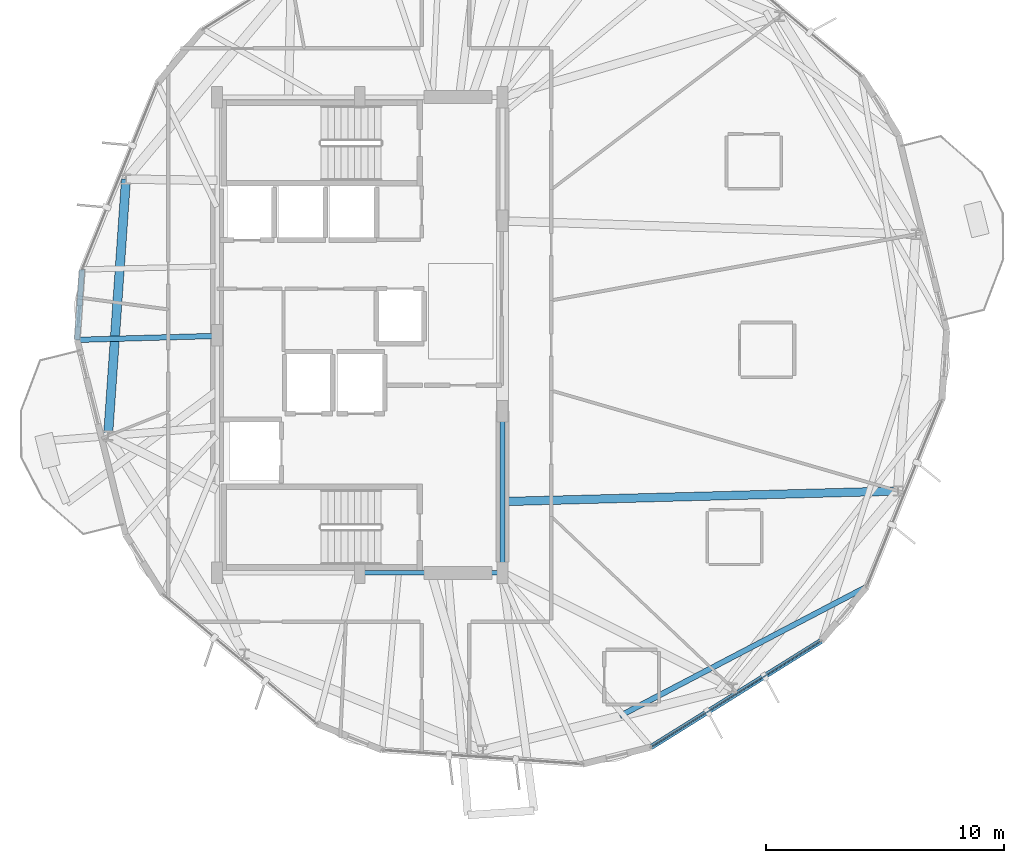
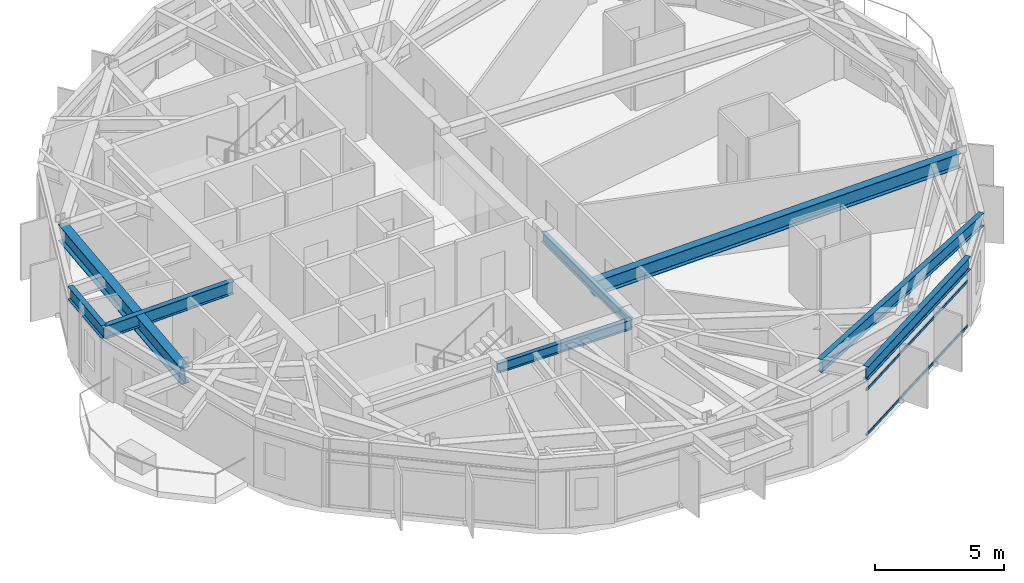
# One storey, part 6 of 22: 8 beams, 3 members, 1 element without a shape of its own.
"""IFC4 building model written with IfcOpenShell, lengths in metres."""

import ifcopenshell
import ifcopenshell.guid

model = None  # the IFC model being written
_history = None  # IfcOwnerHistory: only IFC2X3 demands one
_inside = {}  # id of a spatial element -> (the spatial element, [elements in it])
_under = {}  # id of a project, library or spatial element -> (it, [spatial elements below it])
_declared = {}  # id of a project -> (the project, [libraries it declares])
_typed = {}  # id of a type object -> (the type object, [elements of that type])
_made_of = {}  # id of a material, layer set ... -> (it, [elements and type objects made of it])


def new_model(schema):
    """Start an empty IFC model of exactly this schema.

    Asked for "IFC4X3", IfcOpenShell would pick the latest addendum, in which some entities
    have other attributes; the version numbers below select the first issue.
    IFC2X3 requires an IfcOwnerHistory on every rooted entity: one is made here for all.
    """
    global model, _history
    if schema == "IFC4X3":
        model = ifcopenshell.file(schema_version=(4, 3, 0, 0))
    else:
        model = ifcopenshell.file(schema=schema)
    _inside.clear()
    _under.clear()
    _declared.clear()
    _typed.clear()
    _made_of.clear()
    _history = None
    if model.schema == "IFC2X3":
        org = make("IfcOrganization", Name="unknown")
        user = make(
            "IfcPersonAndOrganization",
            ThePerson=make("IfcPerson", FamilyName="unknown"),
            TheOrganization=org,
        )
        app = make(
            "IfcApplication",
            ApplicationDeveloper=org,
            Version="unknown",
            ApplicationFullName="unknown",
            ApplicationIdentifier="unknown",
        )
        _history = make(
            "IfcOwnerHistory",
            OwningUser=user,
            OwningApplication=app,
            ChangeAction="ADDED",
            CreationDate=0,
        )
    return model


def make(cls, **values):
    """One entity of the class cls with the attributes given. An attribute that is None is left unset."""
    return model.create_entity(
        cls, **{name: value for name, value in values.items() if value is not None}
    )


def rooted(cls, **values):
    """An entity with a GlobalId (a new one), such as an element, a storey or a relation."""
    return make(cls, GlobalId=ifcopenshell.guid.new(), OwnerHistory=_history, **values)


def si_unit(unit_type, name, prefix=None):
    """IfcSIUnit, for example si_unit("LENGTHUNIT", "METRE", prefix="MILLI")."""
    return make("IfcSIUnit", UnitType=unit_type, Prefix=prefix, Name=name)


def assignment(units):
    """IfcUnitAssignment: the units of a project."""
    return None if units is None else make("IfcUnitAssignment", Units=units)


def point(xyz):
    """IfcCartesianPoint."""
    return None if xyz is None else make("IfcCartesianPoint", Coordinates=xyz)


def direction(xyz):
    """IfcDirection."""
    return None if xyz is None else make("IfcDirection", DirectionRatios=xyz)


def frame(location, z_axis=None, x_axis=None):
    """IfcAxis2Placement3D, a coordinate frame: its origin and axes. An axis left out is left unset."""
    return make(
        "IfcAxis2Placement3D",
        Location=point(location),
        Axis=direction(z_axis),
        RefDirection=direction(x_axis),
    )


def frame_2d(location, x_axis=None):
    """IfcAxis2Placement2D, a coordinate frame in the plane: its origin and x axis."""
    return make(
        "IfcAxis2Placement2D", Location=point(location), RefDirection=direction(x_axis)
    )


def origin():
    """The frame at (0, 0, 0) with its axes left unset."""
    return frame((0.0, 0.0, 0.0))


def origin_2d():
    """The frame at (0, 0) in the plane with its x axis left unset."""
    return frame_2d((0.0, 0.0))


def place(relative_to, where):
    """IfcLocalPlacement: puts the frame where relative to a parent placement (None: the world)."""
    return make(
        "IfcLocalPlacement", PlacementRelTo=relative_to, RelativePlacement=where
    )


def context(
    kind, dimensions, precision=None, world=None, true_north=None, identifier=None
):
    """IfcGeometricRepresentationContext, for example the 3D "Model" context."""
    return make(
        "IfcGeometricRepresentationContext",
        ContextIdentifier=identifier,
        ContextType=kind,
        CoordinateSpaceDimension=dimensions,
        Precision=precision,
        WorldCoordinateSystem=world,
        TrueNorth=true_north,
    )


def subcontext(parent, identifier, kind, view, scale=None):
    """IfcGeometricRepresentationSubContext, for example "Body" below "Model"."""
    return make(
        "IfcGeometricRepresentationSubContext",
        ContextIdentifier=identifier,
        ContextType=kind,
        ParentContext=parent,
        TargetScale=scale,
        TargetView=view,
    )


def project(units=None, contexts=None):
    """IfcProject with its units and contexts."""
    return rooted(
        "IfcProject",
        Name="project",
        RepresentationContexts=contexts,
        UnitsInContext=assignment(units),
    )


def spatial(cls, under=None, at=None, **own):
    """A site, building, storey or space (cls), placed at a placement, below another one or the project."""
    s = rooted(cls, ObjectPlacement=at, **own)
    if under is not None:
        _under.setdefault(under.id(), (under, []))[1].append(s)
    return s


def profile(cls, at=None, kind="AREA", **sizes):
    """A parametric profile (cls). Its sizes go by their IFC names, for example OverallWidth=200.0."""
    return make(cls, ProfileType=kind, Position=at, **sizes)


def hollow_rectangle(**sizes):
    """IfcRectangleHollowProfileDef."""
    return profile("IfcRectangleHollowProfileDef", **sizes)


def i_section(**sizes):
    """IfcIShapeProfileDef."""
    return profile("IfcIShapeProfileDef", **sizes)


def extrude(swept, where, along, depth):
    """IfcExtrudedAreaSolid: the profile swept, set in the frame where, extruded along a direction by depth."""
    return make(
        "IfcExtrudedAreaSolid",
        SweptArea=swept,
        Position=where,
        ExtrudedDirection=direction(along),
        Depth=depth,
    )


def shape(context_of_items, identifier, shape_type, items):
    """IfcShapeRepresentation: the items that make up one representation, for example the "Body"."""
    return make(
        "IfcShapeRepresentation",
        ContextOfItems=context_of_items,
        RepresentationIdentifier=identifier,
        RepresentationType=shape_type,
        Items=items,
    )


def material(Name=None, Category=None):
    """IfcMaterial."""
    return make("IfcMaterial", Name=Name, Category=Category)


def layer(
    of_material, thickness, ventilated=None, Name=None, Category=None, Priority=None
):
    """IfcMaterialLayer: one layer of a wall or slab, of a material (None: an air gap)."""
    return make(
        "IfcMaterialLayer",
        Material=of_material,
        LayerThickness=thickness,
        IsVentilated=ventilated,
        Name=Name,
        Category=Category,
        Priority=Priority,
    )


def layer_set(layers, Name=None):
    """IfcMaterialLayerSet."""
    return make("IfcMaterialLayerSet", MaterialLayers=layers, LayerSetName=Name)


def material_profile(
    of_material, cross_section, Name=None, Category=None, Priority=None
):
    """IfcMaterialProfile: a cross section and its material."""
    return make(
        "IfcMaterialProfile",
        Name=Name,
        Material=of_material,
        Profile=cross_section,
        Priority=Priority,
        Category=Category,
    )


def profile_set(profiles, Name=None, composite=None):
    """IfcMaterialProfileSet."""
    return make(
        "IfcMaterialProfileSet",
        Name=Name,
        MaterialProfiles=profiles,
        CompositeProfile=composite,
    )


def made_of(thing, what):
    """Note that an element or type object is made of a material, layer set ...; save() writes the relation."""
    if what is not None:
        _made_of.setdefault(what.id(), (what, []))[1].append(thing)
    return thing


def type_object(cls, material=None, **own):
    """A type object (cls), such as IfcWallType, which elements share."""
    return made_of(rooted(cls, **own), material)


def element(
    cls,
    number,
    at=None,
    inside=None,
    cuts=None,
    type_object=None,
    material=None,
    context=None,
    identifier="Body",
    shape_type=None,
    held_by="IfcProductDefinitionShape",
    body=None,
    shapes=None,
    **own,
):
    """One element of the class cls, such as IfcWall. Its Tag is "e" and its number.

    at: its placement. inside: the storey or other place that contains it. cuts: it is an
    opening in that element (IfcRelVoidsElement). A single representation is given by context,
    identifier, shape_type and body (its items); several are given by shapes. held_by: the class
    of the entity that holds the representations. save() writes the other relations.
    """
    e = rooted(cls, Tag="e%d" % number, ObjectPlacement=at, **own)
    if body is not None:
        shapes = [shape(context, identifier, shape_type, body)]
    if shapes is not None:
        e.Representation = make(held_by, Representations=shapes)
    if inside is not None:
        _inside.setdefault(inside.id(), (inside, []))[1].append(e)
    if cuts is not None:
        rooted(
            "IfcRelVoidsElement", RelatingBuildingElement=cuts, RelatedOpeningElement=e
        )
    if type_object is not None:
        _typed.setdefault(type_object.id(), (type_object, []))[1].append(e)
    return made_of(e, material)


def aggregate(whole, parts):
    """IfcRelAggregates: a whole, such as a stair, and the parts it consists of."""
    return rooted("IfcRelAggregates", RelatingObject=whole, RelatedObjects=parts)


def save(model, path):
    """Write the relations noted so far, then the file.

    IfcRelAggregates (storeys below a building ...), IfcRelContainedInSpatialStructure (elements
    in a storey), IfcRelDefinesByType, IfcRelAssociatesMaterial and IfcRelDeclares: one each for
    every whole, place, type object, material and project.
    """
    for whole, parts in _under.values():
        aggregate(whole, parts)
    for where, things in _inside.values():
        rooted(
            "IfcRelContainedInSpatialStructure",
            RelatedElements=things,
            RelatingStructure=where,
        )
    for kind, things in _typed.values():
        rooted("IfcRelDefinesByType", RelatedObjects=things, RelatingType=kind)
    for what, things in _made_of.values():
        rooted("IfcRelAssociatesMaterial", RelatedObjects=things, RelatingMaterial=what)
    for by, libraries in _declared.values():
        rooted("IfcRelDeclares", RelatingContext=by, RelatedDefinitions=libraries)
    model.write(path)


model = new_model("IFC4")

# Units and contexts
model_context = context("Model", 3, precision=1e-05, world=origin(), true_north=direction((0.0, 1.0)))
body_context = subcontext(model_context, "Body", "Model", "MODEL_VIEW")
ifc_project = project(units=[si_unit("LENGTHUNIT", "METRE"), si_unit("AREAUNIT", "SQUARE_METRE"), si_unit("VOLUMEUNIT", "CUBIC_METRE"), si_unit("PLANEANGLEUNIT", "RADIAN"), si_unit("MASSUNIT", "GRAM", prefix="KILO")], contexts=[model_context])

# Site, building, storey
site_placement = place(None, origin())
site = spatial("IfcSite", under=ifc_project, at=site_placement, CompositionType="ELEMENT")
building_placement = place(site_placement, origin())
building = spatial("IfcBuilding", under=site, at=building_placement, Name="Soratama Intermodal Tower", CompositionType="ELEMENT")
storey_placement = place(building_placement, frame((0.0, 0.0, 157.0)))
storey = spatial("IfcBuildingStorey", under=building, at=storey_placement, Name="L38", CompositionType="ELEMENT", Elevation=157.0)

# Beams
ifc_material_1 = material(Name="Structural steel ASTM A992 Grade 50", Category="steel")
ifc_material_profile_1 = material_profile(ifc_material_1, i_section(OverallWidth=0.19091796875, OverallDepth=0.4599609375, WebThickness=0.010009765625, FlangeThickness=0.01611328125, FilletRadius=0.010986328125, at=origin_2d()), Name="W18X55")
ifc_profile_set_1 = profile_set([ifc_material_profile_1], Name="Structural steel ASTM A992 Grade 50")
beam_type_1 = type_object("IfcBeamType", Name="BM-FLR-W18X55", PredefinedType="BEAM", material=ifc_profile_set_1)
beam_1_placement = place(storey_placement, frame((38.60009765625, 15.0, 3.070068359375), z_axis=(1.0, 0.0, 0.0), x_axis=(0.0, 1.0, 0.0)))
element("IfcBeam", 1, at=beam_1_placement, inside=storey, type_object=beam_type_1, Name="BM-L38-CRING-02", PredefinedType="BEAM", context=body_context, shape_type="SweptSolid", body=[
    extrude(i_section(OverallWidth=0.19091796875, OverallDepth=0.4599609375, WebThickness=0.010009765625, FlangeThickness=0.01611328125, FilletRadius=0.010986328125, at=origin_2d()), origin(), (0.0, 0.0, 1.0), 6.0),
])
beam_2_placement = place(storey_placement, frame((44.60009765625, 15.0, 3.070068359375), z_axis=(0.0, 1.0, 0.0), x_axis=(-1.0, 0.0, 0.0)))
element("IfcBeam", 2, at=beam_2_placement, inside=storey, type_object=beam_type_1, Name="BM-L38-CRING-03", PredefinedType="BEAM", context=body_context, shape_type="SweptSolid", body=[
    extrude(i_section(OverallWidth=0.19091796875, OverallDepth=0.4599609375, WebThickness=0.010009765625, FlangeThickness=0.01611328125, FilletRadius=0.010986328125, at=origin_2d()), origin(), (0.0, 0.0, 1.0), 6.800048828125),
])
ifc_material_2 = material(Name="Structural steel ASTM A992 Grade 50", Category="steel")
ifc_material_profile_2 = material_profile(ifc_material_2, i_section(OverallWidth=0.35498046875, OverallDepth=0.695068359375, WebThickness=0.015380859375, FlangeThickness=0.02490234375, FilletRadius=0.01611328125, at=origin_2d()), Name="W27X146")
ifc_profile_set_2 = profile_set([ifc_material_profile_2], Name="Structural steel ASTM A992 Grade 50")
beam_type_2 = type_object("IfcBeamType", Name="BM-RING-W27X146", PredefinedType="BEAM", material=ifc_profile_set_2)
beam_3_placement = place(storey_placement, frame((44.60009765625, 18.0, 2.952392578125), z_axis=(0.999643459503, 0.026701196077, 0.0), x_axis=(-0.026701196077, 0.999643459503, 0.0)))
element("IfcBeam", 3, at=beam_3_placement, inside=storey, type_object=beam_type_2, Name="BM-L38-RAD-10", PredefinedType="BEAM", context=body_context, shape_type="SweptSolid", body=[
    extrude(i_section(OverallWidth=0.35498046875, OverallDepth=0.695068359375, WebThickness=0.015380859375, FlangeThickness=0.02490234375, FilletRadius=0.01611328125, at=origin_2d()), origin(), (0.0, 0.0, 1.0), 16.6318359375),
])
ifc_material_3 = material(Name="Structural steel ASTM A992 Grade 50", Category="steel")
ifc_material_profile_3 = material_profile(ifc_material_3, i_section(OverallWidth=0.382080078125, OverallDepth=0.779052734375, WebThickness=0.01806640625, FlangeThickness=0.030029296875, FilletRadius=0.01806640625, at=origin_2d()), Name="W30X191")
ifc_profile_set_3 = profile_set([ifc_material_profile_3], Name="Structural steel ASTM A992 Grade 50")
beam_type_3 = type_object("IfcBeamType", Name="BM-RING-W30X191", PredefinedType="BEAM", material=ifc_profile_set_3)
beam_4_placement = place(storey_placement, frame((28.77392578125, 31.555908203125, 2.910400390625), z_axis=(-0.069702217409, -0.99756784275, 0.0), x_axis=(0.99756784275, -0.069702217409, 0.0)))
element("IfcBeam", 4, at=beam_4_placement, inside=storey, type_object=beam_type_3, Name="BM-L38-RING-05", PredefinedType="BEAM", context=body_context, shape_type="SweptSolid", body=[
    extrude(i_section(OverallWidth=0.382080078125, OverallDepth=0.779052734375, WebThickness=0.01806640625, FlangeThickness=0.030029296875, FilletRadius=0.01806640625, at=origin_2d()), origin(), (0.0, 0.0, 1.0), 10.816162109375),
])
ifc_material_4 = material(Name="Structural steel ASTM A992 Grade 50", Category="steel")
ifc_material_profile_4 = material_profile(ifc_material_4, i_section(OverallWidth=0.22900390625, OverallDepth=0.612060546875, WebThickness=0.011962890625, FlangeThickness=0.01953125, FilletRadius=0.012939453125, at=origin_2d()), Name="W24X84")
ifc_profile_set_4 = profile_set([ifc_material_profile_4], Name="Structural steel ASTM A992 Grade 50")
beam_type_4 = type_object("IfcBeamType", Name="BM-SPN-W24X84", PredefinedType="SPANDREL", material=ifc_profile_set_4)
beam_5_placement = place(storey_placement, frame((26.927001953125, 27.757080078125, 2.993896484375), z_axis=(-0.070123978367, -0.997538283806, 0.0), x_axis=(0.997538283806, -0.070123978367, 0.0)))
element("IfcBeam", 5, at=beam_5_placement, inside=storey, type_object=beam_type_4, Name="BS-L38-CRN04", PredefinedType="SPANDREL", context=body_context, shape_type="SweptSolid", body=[
    extrude(i_section(OverallWidth=0.22900390625, OverallDepth=0.612060546875, WebThickness=0.011962890625, FlangeThickness=0.01953125, FilletRadius=0.012939453125, at=origin_2d()), origin(), (0.0, 0.0, 1.0), 2.96630859375),
])
beam_6_placement = place(storey_placement, frame((50.842041015625, 7.676025390625, 2.993896484375), z_axis=(0.848230614703, 0.529627061508, 0.0), x_axis=(-0.529627061508, 0.848230614703, 0.0)))
element("IfcBeam", 6, at=beam_6_placement, inside=storey, type_object=beam_type_4, Name="BS-L38-F08", PredefinedType="SPANDREL", context=body_context, shape_type="SweptSolid", body=[
    extrude(i_section(OverallWidth=0.22900390625, OverallDepth=0.612060546875, WebThickness=0.011962890625, FlangeThickness=0.01953125, FilletRadius=0.012939453125, at=origin_2d()), origin(), (0.0, 0.0, 1.0), 8.43994140625),
])
ifc_material_5 = material(Name="Structural steel ASTM A992 Grade 50", Category="steel")
ifc_material_profile_5 = material_profile(ifc_material_5, i_section(OverallWidth=0.22900390625, OverallDepth=0.612060546875, WebThickness=0.011962890625, FlangeThickness=0.01953125, FilletRadius=0.012939453125, at=origin_2d()), Name="W24X84")
ifc_profile_set_5 = profile_set([ifc_material_profile_5], Name="Structural steel ASTM A992 Grade 50")
beam_type_5 = type_object("IfcBeamType", Name="BM-TIE-W24X84", PredefinedType="BEAM", material=ifc_profile_set_5)
beam_7_placement = place(storey_placement, frame((32.56005859375, 24.964111328125, 2.993896484375), z_axis=(-0.999596335171, -0.028410679537, 0.0), x_axis=(0.028410679537, -0.999596335171, 0.0)))
element("IfcBeam", 7, at=beam_7_placement, inside=storey, type_object=beam_type_5, Name="BM-L38-TIE0-05", PredefinedType="BEAM", context=body_context, shape_type="SweptSolid", body=[
    extrude(i_section(OverallWidth=0.22900390625, OverallDepth=0.612060546875, WebThickness=0.011962890625, FlangeThickness=0.01953125, FilletRadius=0.012939453125, at=origin_2d()), origin(), (0.0, 0.0, 1.0), 5.843505859375),
])
beam_8_placement = place(storey_placement, frame((49.535888671875, 8.988037109375, 2.993896484375), z_axis=(0.885956800079, 0.463767774208, 0.0), x_axis=(-0.463767774208, 0.885956800079, 0.0)))
element("IfcBeam", 8, at=beam_8_placement, inside=storey, type_object=beam_type_5, Name="BM-L38-TIE0-09", PredefinedType="BEAM", context=body_context, shape_type="SweptSolid", body=[
    extrude(i_section(OverallWidth=0.22900390625, OverallDepth=0.612060546875, WebThickness=0.011962890625, FlangeThickness=0.01953125, FilletRadius=0.012939453125, at=origin_2d()), origin(), (0.0, 0.0, 1.0), 11.708251953125),
])

# Curtain wall, members
ifc_material_6 = material(Name="Double-glazed aluminium curtain wall", Category="aluminium")
ifc_layer = layer(ifc_material_6, 0.159912109375)
ifc_layer_set = layer_set([ifc_layer], Name="Double-glazed aluminium curtain wall")
curtain_wall_type = type_object("IfcCurtainWallType", Name="CW-SYS-4", PredefinedType="NOTDEFINED", material=ifc_layer_set)
curtain_wall_placement = place(storey_placement, origin())
curtain_wall = element("IfcCurtainWall", 9, at=curtain_wall_placement, inside=storey, type_object=curtain_wall_type, Name="L38 Faceted Curtain Wall F08", PredefinedType="NOTDEFINED")
ifc_material_7 = material(Name="Anodised aluminium AA 6063-T6", Category="aluminium")
ifc_material_profile_6 = material_profile(ifc_material_7, hollow_rectangle(XDim=0.06005859375, YDim=0.1298828125, WallThickness=0.0048828125, InnerFilletRadius=0.0048828125, OuterFilletRadius=0.010009765625, at=origin_2d()), Name="CWT130X60X5")
ifc_profile_set_6 = profile_set([ifc_material_profile_6], Name="Anodised aluminium AA 6063-T6")
member_type = type_object("IfcMemberType", Name="TT-CWT-2", PredefinedType="USERDEFINED", material=ifc_profile_set_6)
member_1_placement = place(storey_placement, frame((50.892333984375, 7.707763671875, 0.030029296875), z_axis=(0.848229006236, 0.529629637559, 0.0), x_axis=(-0.529629637559, 0.848229006236, 0.0)))
member_1 = element("IfcMember", 10, at=member_1_placement, type_object=member_type, Name="CW-4 transom 1.1", ObjectType="TRANSOM", PredefinedType="USERDEFINED", context=body_context, shape_type="SweptSolid", body=[
    extrude(hollow_rectangle(XDim=0.06005859375, YDim=0.1298828125, WallThickness=0.0048828125, InnerFilletRadius=0.0048828125, OuterFilletRadius=0.010009765625, at=origin_2d()), origin(), (0.0, 0.0, 1.0), 8.3203125),
])
member_2_placement = place(storey_placement, frame((50.892333984375, 7.707763671875, 2.14990234375), z_axis=(0.848229006236, 0.529629637559, 0.0), x_axis=(-0.529629637559, 0.848229006236, 0.0)))
member_2 = element("IfcMember", 11, at=member_2_placement, type_object=member_type, Name="CW-4 transom 1.2", ObjectType="TRANSOM", PredefinedType="USERDEFINED", context=body_context, shape_type="SweptSolid", body=[
    extrude(hollow_rectangle(XDim=0.06005859375, YDim=0.1298828125, WallThickness=0.0048828125, InnerFilletRadius=0.0048828125, OuterFilletRadius=0.010009765625, at=origin_2d()), origin(), (0.0, 0.0, 1.0), 8.3203125),
])
member_3_placement = place(storey_placement, frame((50.892333984375, 7.707763671875, 2.64892578125), z_axis=(0.848229006236, 0.529629637559, 0.0), x_axis=(-0.529629637559, 0.848229006236, 0.0)))
member_3 = element("IfcMember", 12, at=member_3_placement, type_object=member_type, Name="CW-4 transom 1.3", ObjectType="TRANSOM", PredefinedType="USERDEFINED", context=body_context, shape_type="SweptSolid", body=[
    extrude(hollow_rectangle(XDim=0.06005859375, YDim=0.1298828125, WallThickness=0.0048828125, InnerFilletRadius=0.0048828125, OuterFilletRadius=0.010009765625, at=origin_2d()), origin(), (0.0, 0.0, 1.0), 8.3203125),
])
aggregate(curtain_wall, [member_1, member_2, member_3])

save(model, "model.ifc")
